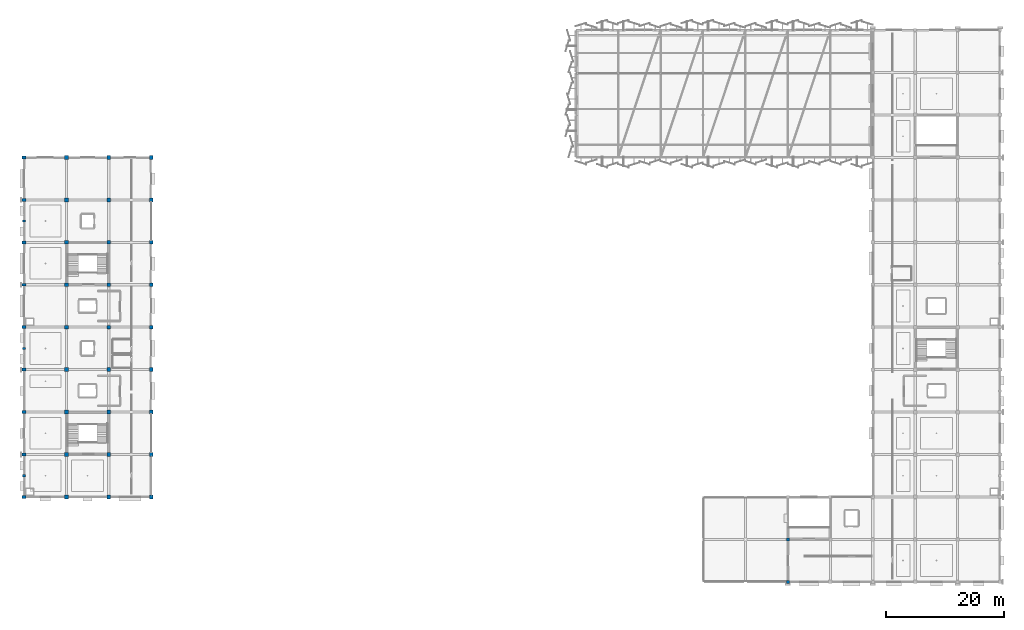
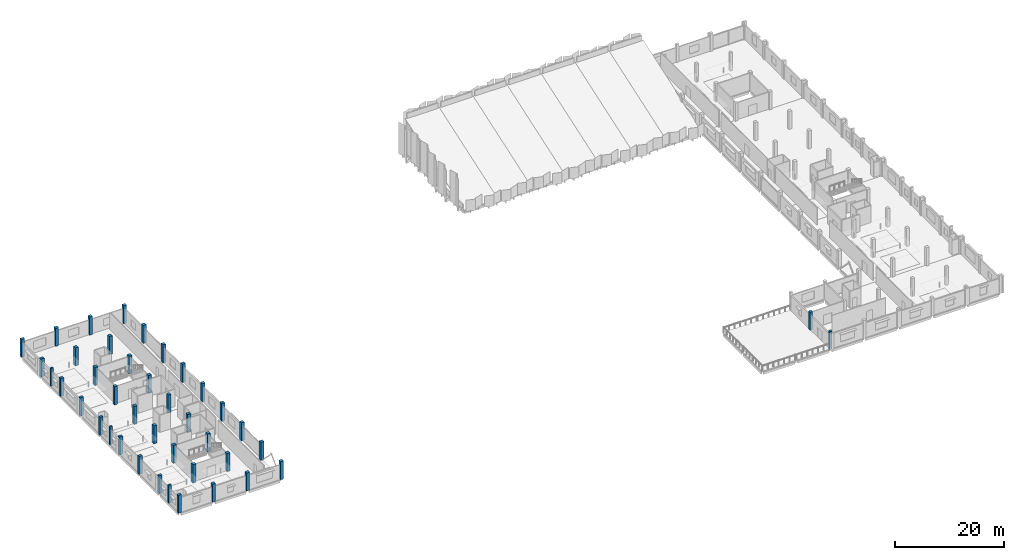
# One storey, part 1 of 59: 41 columns.
"""IFC4 building model written with IfcOpenShell, lengths in metres."""

from ifc_helpers import new_model, si_unit, direction, frame, origin, origin_2d, place, context, subcontext, project, spatial, rectangle, extrude, material, material_profile, profile_set, type_object, element, save


model = new_model("IFC4")

# Units and contexts
model_context = context("Model", 3, precision=1e-05, world=origin(), true_north=direction((0.0, 1.0)))
body_context = subcontext(model_context, "Body", "Model", "MODEL_VIEW")
ifc_project = project(units=[si_unit("LENGTHUNIT", "METRE"), si_unit("AREAUNIT", "SQUARE_METRE"), si_unit("VOLUMEUNIT", "CUBIC_METRE"), si_unit("PLANEANGLEUNIT", "RADIAN"), si_unit("MASSUNIT", "GRAM", prefix="KILO")], contexts=[model_context])

# Site, building, storey
site_placement = place(None, origin())
site = spatial("IfcSite", under=ifc_project, at=site_placement, CompositionType="ELEMENT")
building_placement = place(site_placement, origin())
building = spatial("IfcBuilding", under=site, at=building_placement, Name="Kangsadwip Square Police Headquarters", CompositionType="ELEMENT")
storey_placement = place(building_placement, frame((0.0, 0.0, 21.60009765625)))
storey = spatial("IfcBuildingStorey", under=building, at=storey_placement, Name="L05", CompositionType="ELEMENT", Elevation=21.60009765625)

# Columns
ifc_material_1 = material(Name="Concrete M35 (35 MPa)", Category="concrete")
ifc_material_profile_1 = material_profile(ifc_material_1, rectangle(XDim=0.5, YDim=0.5, at=origin_2d()), Name="RC COL 500X500")
ifc_profile_set_1 = profile_set([ifc_material_profile_1], Name="Concrete M35 (35 MPa)")
column_type_1 = type_object("IfcColumnType", Name="RcCol500x500", PredefinedType="COLUMN", material=ifc_profile_set_1)
column_1_placement = place(storey_placement, frame((129.60009765625, 21.60009765625, 0.0), z_axis=(0.0, 0.0, 1.0), x_axis=(1.0, 0.0, 0.0)))
element("IfcColumn", 1, at=column_1_placement, inside=storey, type_object=column_type_1, Name="Column COL-L05-18-03", PredefinedType="COLUMN", context=body_context, shape_type="SweptSolid", body=[
    extrude(rectangle(XDim=0.5, YDim=0.5, at=origin_2d()), origin(), (0.0, 0.0, 1.0), 4.0498046875),
])
ifc_material_2 = material(Name="Concrete M35 (35 MPa)", Category="concrete")
ifc_material_profile_2 = material_profile(ifc_material_2, rectangle(XDim=0.550048828125, YDim=0.550048828125, at=origin_2d()), Name="RC COL 550X550")
ifc_profile_set_2 = profile_set([ifc_material_profile_2], Name="Concrete M35 (35 MPa)")
column_type_2 = type_object("IfcColumnType", Name="RcCol550x550", PredefinedType="COLUMN", material=ifc_profile_set_2)
column_2_placement = place(storey_placement, frame((129.60009765625, 28.800048828125, 0.0), z_axis=(0.0, 0.0, 1.0), x_axis=(1.0, 0.0, 0.0)))
element("IfcColumn", 2, at=column_2_placement, inside=storey, type_object=column_type_2, Name="Column COL-L05-18-04", PredefinedType="COLUMN", context=body_context, shape_type="SweptSolid", body=[
    extrude(rectangle(XDim=0.550048828125, YDim=0.550048828125, at=origin_2d()), origin(), (0.0, 0.0, 1.0), 4.0498046875),
])
ifc_material_3 = material(Name="Concrete M40 (40 MPa)", Category="concrete")
ifc_material_profile_3 = material_profile(ifc_material_3, rectangle(XDim=0.64990234375, YDim=0.64990234375, at=origin_2d()), Name="RC COL 650X650")
ifc_profile_set_3 = profile_set([ifc_material_profile_3], Name="Concrete M40 (40 MPa)")
column_type_3 = type_object("IfcColumnType", Name="RcCol650x650", PredefinedType="COLUMN", material=ifc_profile_set_3)
for number, where, z_axis, x_axis, name in (
    (3, (7.199951171875, 36.0, 0.0), (0.0, 0.0, 1.0), (1.0, 0.0, 0.0), "Column COL-L05-01-05"),
    (4, (7.199951171875, 43.199951171875, 0.0), (0.0, 0.0, 1.0), (1.0, 0.0, 0.0), "Column COL-L05-01-06"),
    (5, (7.199951171875, 50.39990234375, 0.0), (0.0, 0.0, 1.0), (1.0, 0.0, 0.0), "Column COL-L05-01-07"),
    (6, (7.199951171875, 57.60009765625, 0.0), (0.0, 0.0, 1.0), (1.0, 0.0, 0.0), "Column COL-L05-01-08"),
    (7, (7.199951171875, 64.800048828125, 0.0), (0.0, 0.0, 1.0), (1.0, 0.0, 0.0), "Column COL-L05-01-09"),
    (8, (7.199951171875, 72.0, 0.0), (0.0, 0.0, 1.0), (1.0, 0.0, 0.0), "Column COL-L05-01-10"),
    (9, (7.199951171875, 79.199951171875, 0.0), (0.0, 0.0, 1.0), (1.0, 0.0, 0.0), "Column COL-L05-01-11"),
    (10, (7.199951171875, 86.39990234375, 0.0), (0.0, 0.0, 1.0), (1.0, 0.0, 0.0), "Column COL-L05-01-12"),
    (11, (7.199951171875, 93.60009765625, 0.0), (0.0, 0.0, 1.0), (1.0, 0.0, 0.0), "Column COL-L05-01-13"),
    (12, (14.39990234375, 36.0, 0.0), (0.0, 0.0, 1.0), (1.0, 0.0, 0.0), "Column COL-L05-02-05"),
    (13, (14.39990234375, 43.199951171875, 0.0), (0.0, 0.0, 1.0), (1.0, 0.0, 0.0), "Column COL-L05-02-06"),
    (14, (14.39990234375, 50.39990234375, 0.0), (0.0, 0.0, 1.0), (1.0, 0.0, 0.0), "Column COL-L05-02-07"),
    (15, (14.39990234375, 57.60009765625, 0.0), (0.0, 0.0, 1.0), (1.0, 0.0, 0.0), "Column COL-L05-02-08"),
    (16, (14.39990234375, 64.800048828125, 0.0), (0.0, 0.0, 1.0), (1.0, 0.0, 0.0), "Column COL-L05-02-09"),
    (17, (14.39990234375, 72.0, 0.0), (0.0, 0.0, 1.0), (1.0, 0.0, 0.0), "Column COL-L05-02-10"),
    (18, (14.39990234375, 79.199951171875, 0.0), (0.0, 0.0, 1.0), (1.0, 0.0, 0.0), "Column COL-L05-02-11"),
    (19, (14.39990234375, 86.39990234375, 0.0), (0.0, 0.0, 1.0), (1.0, 0.0, 0.0), "Column COL-L05-02-12"),
    (20, (14.39990234375, 93.60009765625, 0.0), (0.0, 0.0, 1.0), (1.0, 0.0, 0.0), "Column COL-L05-02-13"),
    (21, (21.60009765625, 36.0, 0.0), (0.0, 0.0, 1.0), (1.0, 0.0, 0.0), "Column COL-L05-03-05"),
    (22, (21.60009765625, 43.199951171875, 0.0), (0.0, 0.0, 1.0), (1.0, 0.0, 0.0), "Column COL-L05-03-06"),
    (23, (21.60009765625, 50.39990234375, 0.0), (0.0, 0.0, 1.0), (1.0, 0.0, 0.0), "Column COL-L05-03-07"),
    (24, (21.60009765625, 57.60009765625, 0.0), (0.0, 0.0, 1.0), (1.0, 0.0, 0.0), "Column COL-L05-03-08"),
    (25, (21.60009765625, 64.800048828125, 0.0), (0.0, 0.0, 1.0), (1.0, 0.0, 0.0), "Column COL-L05-03-09"),
    (26, (21.60009765625, 72.0, 0.0), (0.0, 0.0, 1.0), (1.0, 0.0, 0.0), "Column COL-L05-03-10"),
    (27, (21.60009765625, 79.199951171875, 0.0), (0.0, 0.0, 1.0), (1.0, 0.0, 0.0), "Column COL-L05-03-11"),
    (28, (21.60009765625, 86.39990234375, 0.0), (0.0, 0.0, 1.0), (1.0, 0.0, 0.0), "Column COL-L05-03-12"),
    (29, (21.60009765625, 93.60009765625, 0.0), (0.0, 0.0, 1.0), (1.0, 0.0, 0.0), "Column COL-L05-03-13"),
):
    element("IfcColumn", number, at=place(storey_placement, frame(where, z_axis=z_axis, x_axis=x_axis)), inside=storey, type_object=column_type_3, Name=name, PredefinedType="COLUMN", context=body_context, shape_type="SweptSolid", body=[
        extrude(rectangle(XDim=0.64990234375, YDim=0.64990234375, at=origin_2d()), origin(), (0.0, 0.0, 1.0), 4.0498046875),
    ])
ifc_material_4 = material(Name="Concrete M35 (35 MPa)", Category="concrete")
ifc_material_profile_4 = material_profile(ifc_material_4, rectangle(XDim=0.5, YDim=0.699951171875, at=origin_2d()), Name="RC COL 700X500")
ifc_profile_set_4 = profile_set([ifc_material_profile_4], Name="Concrete M35 (35 MPa)")
column_type_4 = type_object("IfcColumnType", Name="RcCol700x500", PredefinedType="COLUMN", material=ifc_profile_set_4)
for number, where, z_axis, x_axis, name in (
    (30, (0.0, 36.0, 0.0), (0.0, 0.0, 1.0), (0.0, 1.0, 0.0), "Column COL-L05-00-05"),
    (31, (0.0, 43.199951171875, 0.0), (0.0, 0.0, 1.0), (0.0, 1.0, 0.0), "Column COL-L05-00-06"),
    (32, (0.0, 50.39990234375, 0.0), (0.0, 0.0, 1.0), (0.0, 1.0, 0.0), "Column COL-L05-00-07"),
    (33, (0.0, 57.60009765625, 0.0), (0.0, 0.0, 1.0), (0.0, 1.0, 0.0), "Column COL-L05-00-08"),
    (34, (0.0, 64.800048828125, 0.0), (0.0, 0.0, 1.0), (0.0, 1.0, 0.0), "Column COL-L05-00-09"),
    (35, (0.0, 72.0, 0.0), (0.0, 0.0, 1.0), (0.0, 1.0, 0.0), "Column COL-L05-00-10"),
    (36, (0.0, 79.199951171875, 0.0), (0.0, 0.0, 1.0), (0.0, 1.0, 0.0), "Column COL-L05-00-11"),
    (37, (0.0, 86.39990234375, 0.0), (0.0, 0.0, 1.0), (0.0, 1.0, 0.0), "Column COL-L05-00-12"),
    (38, (0.0, 93.60009765625, 0.0), (0.0, 0.0, 1.0), (0.0, 1.0, 0.0), "Column COL-L05-00-13"),
):
    element("IfcColumn", number, at=place(storey_placement, frame(where, z_axis=z_axis, x_axis=x_axis)), inside=storey, type_object=column_type_4, Name=name, PredefinedType="COLUMN", context=body_context, shape_type="SweptSolid", body=[
        extrude(rectangle(XDim=0.5, YDim=0.699951171875, at=origin_2d()), origin(), (0.0, 0.0, 1.0), 4.0498046875),
    ])
ifc_material_5 = material(Name="Concrete M35 (35 MPa)", Category="concrete")
ifc_material_profile_5 = material_profile(ifc_material_5, rectangle(XDim=0.35009765625, YDim=0.550048828125, at=origin_2d()), Name="RC PIL 550X350")
ifc_profile_set_5 = profile_set([ifc_material_profile_5], Name="Concrete M35 (35 MPa)")
column_type_5 = type_object("IfcColumnType", Name="RcPil550x350", PredefinedType="PILASTER", material=ifc_profile_set_5)
for number, where, z_axis, x_axis, name in (
    (39, (0.0, 39.60009765625, 0.0), (0.0, 0.0, 1.0), (0.0, 1.0, 0.0), "Colonnade Pilaster PIL-L05-007"),
    (40, (0.0, 61.199951171875, 0.0), (0.0, 0.0, 1.0), (0.0, 1.0, 0.0), "Colonnade Pilaster PIL-L05-016"),
    (41, (0.0, 82.800048828125, 0.0), (0.0, 0.0, 1.0), (0.0, 1.0, 0.0), "Colonnade Pilaster PIL-L05-025"),
):
    element("IfcColumn", number, at=place(storey_placement, frame(where, z_axis=z_axis, x_axis=x_axis)), inside=storey, type_object=column_type_5, Name=name, PredefinedType="PILASTER", context=body_context, shape_type="SweptSolid", body=[
        extrude(rectangle(XDim=0.35009765625, YDim=0.550048828125, at=origin_2d()), origin(), (0.0, 0.0, 1.0), 4.0498046875),
    ])

save(model, "model.ifc")
